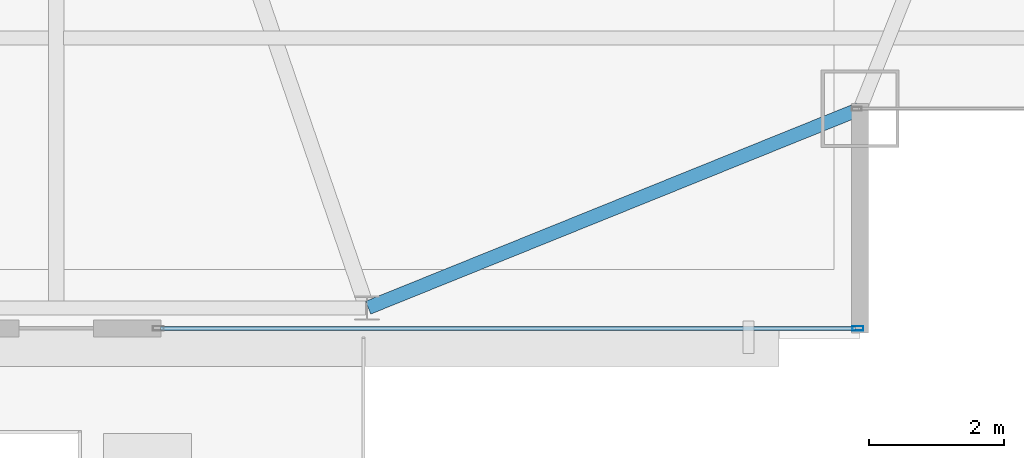
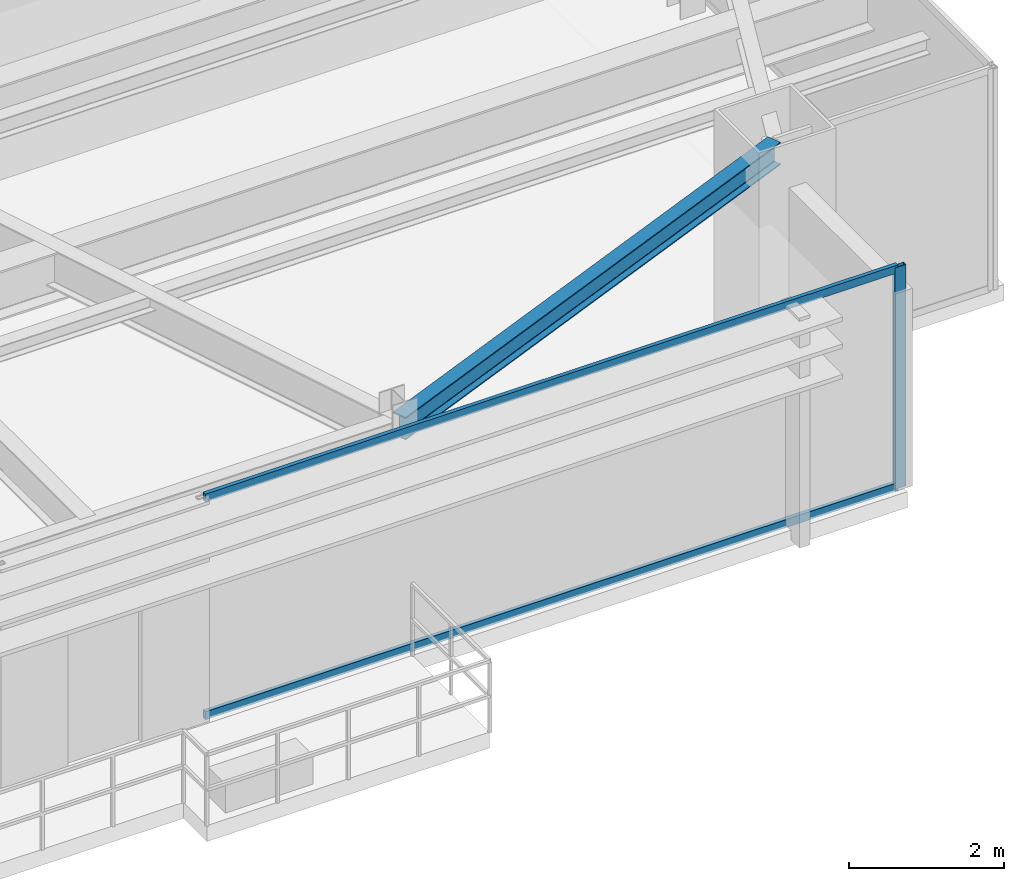
# One storey, part 13 of 28: 3 members, 1 beam, 1 element without a shape of its own.
"""IFC4 building model written with IfcOpenShell, lengths in metres."""

from ifc_helpers import new_model, si_unit, direction, frame, origin, origin_2d, place, context, subcontext, project, spatial, hollow_rectangle, i_section, extrude, source, transform, mapped, material, layer, layer_set, material_profile, profile_set, type_object, type_shapes, element, aggregate, save


model = new_model("IFC4")

# Units and contexts
model_context = context("Model", 3, precision=1e-05, world=origin(), true_north=direction((0.0, 1.0)))
body_context = subcontext(model_context, "Body", "Model", "MODEL_VIEW")
ifc_project = project(units=[si_unit("LENGTHUNIT", "METRE"), si_unit("AREAUNIT", "SQUARE_METRE"), si_unit("VOLUMEUNIT", "CUBIC_METRE"), si_unit("PLANEANGLEUNIT", "RADIAN"), si_unit("MASSUNIT", "GRAM", prefix="KILO")], contexts=[model_context])

# Site, building, storey
site_placement = place(None, origin())
site = spatial("IfcSite", under=ifc_project, at=site_placement, CompositionType="ELEMENT")
building_placement = place(site_placement, origin())
building = spatial("IfcBuilding", under=site, at=building_placement, Name="Varnel Quay Broadcast Tower", CompositionType="ELEMENT")
storey_placement = place(building_placement, frame((0.0, 0.0, 230.199951171875)))
storey = spatial("IfcBuildingStorey", under=building, at=storey_placement, Name="L57", CompositionType="ELEMENT", Elevation=230.199951171875)

# Beam
ifc_material_1 = material(Name="Structural Steel CSA G40.21 350W", Category="steel")
ifc_material_profile_1 = material_profile(ifc_material_1, i_section(OverallWidth=0.205078125, OverallDepth=0.35400390625, WebThickness=0.009521484375, FlangeThickness=0.016845703125, FilletRadius=0.012939453125, at=origin_2d()), Name="W360X79")
ifc_profile_set_1 = profile_set([ifc_material_profile_1], Name="Structural Steel CSA G40.21 350W")
beam_type = type_object("IfcBeamType", Name="Beam_W360X79", PredefinedType="SPANDREL", material=ifc_profile_set_1)
shared_shape_1 = source(origin(), body_context, "Body", "SweptSolid", [
    extrude(i_section(OverallWidth=0.205078125, OverallDepth=0.35400390625, WebThickness=0.009521484375, FlangeThickness=0.016845703125, FilletRadius=0.012939453125, at=origin_2d()), origin(), (0.0, 0.0, 1.0), 7.83349609375),
])
type_shapes(beam_type, [shared_shape_1])
beam_placement = place(storey_placement, frame((47.818603515625, 10.657470703125, 3.302978515625), z_axis=(0.927155449606, 0.374676890489, 0.0), x_axis=(-0.374676890489, 0.927155449606, 0.0)))
element("IfcBeam", 1, at=beam_placement, inside=storey, type_object=beam_type, Name="L57 South Spandrel TC-S4-MC-SE", PredefinedType="SPANDREL", context=body_context, shape_type="MappedRepresentation", body=[
    mapped(shared_shape_1, transform((0.0, 0.0, 0.0), x_axis=(1.0, 0.0, 0.0), y_axis=(0.0, 1.0, 0.0), z_axis=(0.0, 0.0, 1.0), scale=1.0)),
])

# Curtain wall, members
ifc_material_2 = material(Name="Anodised Bronze Aluminium 6063-T6", Category="aluminium")
ifc_layer = layer(ifc_material_2, 0.18994140625, Name="Anodised Bronze Aluminium 6063-T6")
ifc_layer_set = layer_set([ifc_layer], Name="Anodised Bronze Aluminium 6063-T6")
curtain_wall_type = type_object("IfcCurtainWallType", Name="CW_UpperTower", PredefinedType="NOTDEFINED", material=ifc_layer_set)
curtain_wall_placement = place(storey_placement, origin())
curtain_wall = element("IfcCurtainWall", 2, at=curtain_wall_placement, inside=storey, type_object=curtain_wall_type, Name="L57 South Unitised Curtain Wall 3", PredefinedType="NOTDEFINED")
ifc_material_profile_2 = material_profile(ifc_material_2, hollow_rectangle(XDim=0.06005859375, YDim=0.125, WallThickness=0.0029296875, at=origin_2d()), Name="ALU60X125X3")
ifc_profile_set_2 = profile_set([ifc_material_profile_2], Name="Anodised Bronze Aluminium 6063-T6")
member_type_1 = type_object("IfcMemberType", Name="Tran_CWS-03", PredefinedType="USERDEFINED", material=ifc_profile_set_2)
shared_shape_2 = source(origin(), body_context, "Body", "SweptSolid", [
    extrude(hollow_rectangle(XDim=0.06005859375, YDim=0.125, WallThickness=0.0029296875, at=origin_2d()), origin(), (0.0, 0.0, 1.0), 10.289794921875),
])
type_shapes(member_type_1, [shared_shape_2])
member_1_placement = place(storey_placement, frame((44.7451171875, 10.35009765625, 0.030029296875), z_axis=(1.0, 0.0, 0.0), x_axis=(0.0, 1.0, 0.0)))
member_1 = element("IfcMember", 3, at=member_1_placement, type_object=member_type_1, Name="CWS-03 transom 1.1", ObjectType="TRANSOM", PredefinedType="USERDEFINED", context=body_context, shape_type="MappedRepresentation", body=[
    mapped(shared_shape_2, transform((0.0, 0.0, 0.0), x_axis=(1.0, 0.0, 0.0), y_axis=(0.0, 1.0, 0.0), z_axis=(0.0, 0.0, 1.0), scale=1.0)),
])
member_2_placement = place(storey_placement, frame((44.7451171875, 10.35009765625, 3.449951171875), z_axis=(1.0, 0.0, 0.0), x_axis=(0.0, 1.0, 0.0)))
member_2 = element("IfcMember", 4, at=member_2_placement, type_object=member_type_1, Name="CWS-03 transom 1.2", ObjectType="TRANSOM", PredefinedType="USERDEFINED", context=body_context, shape_type="MappedRepresentation", body=[
    mapped(shared_shape_2, transform((0.0, 0.0, 0.0), x_axis=(1.0, 0.0, 0.0), y_axis=(0.0, 1.0, 0.0), z_axis=(0.0, 0.0, 1.0), scale=1.0)),
])
ifc_material_profile_3 = material_profile(ifc_material_2, hollow_rectangle(XDim=0.06494140625, YDim=0.1650390625, WallThickness=0.00341796875, at=origin_2d()), Name="ALU65X165X3.5")
ifc_profile_set_3 = profile_set([ifc_material_profile_3], Name="Anodised Bronze Aluminium 6063-T6")
member_type_2 = type_object("IfcMemberType", Name="Mull_CWS-03", PredefinedType="MULLION", material=ifc_profile_set_3)
shared_shape_3 = source(origin(), body_context, "Body", "SweptSolid", [
    extrude(hollow_rectangle(XDim=0.06494140625, YDim=0.1650390625, WallThickness=0.00341796875, at=origin_2d()), origin(), (0.0, 0.0, 1.0), 3.47998046875),
])
type_shapes(member_type_2, [shared_shape_3])
member_3_placement = place(storey_placement, frame((55.0673828125, 10.35009765625, 0.0), z_axis=(0.0, 0.0, 1.0), x_axis=(0.0, 1.0, 0.0)))
member_3 = element("IfcMember", 5, at=member_3_placement, type_object=member_type_2, Name="CWS-03 mullion 2", PredefinedType="MULLION", context=body_context, shape_type="MappedRepresentation", body=[
    mapped(shared_shape_3, transform((0.0, 0.0, 0.0), x_axis=(1.0, 0.0, 0.0), y_axis=(0.0, 1.0, 0.0), z_axis=(0.0, 0.0, 1.0), scale=1.0)),
])
aggregate(curtain_wall, [member_3, member_1, member_2])

save(model, "model.ifc")
